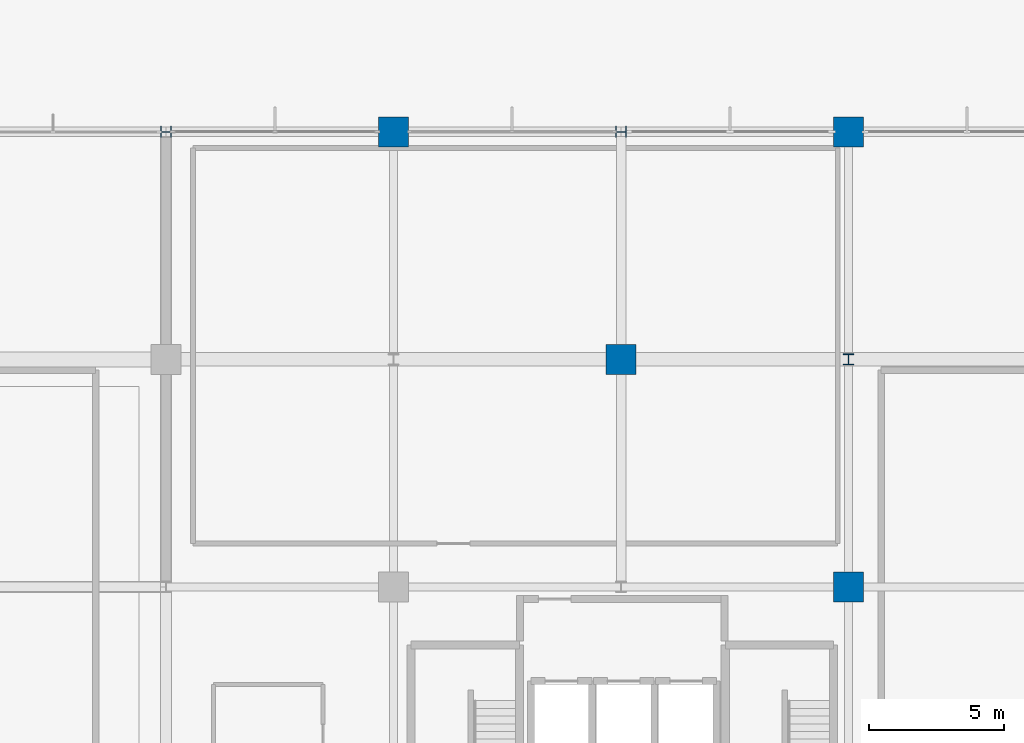
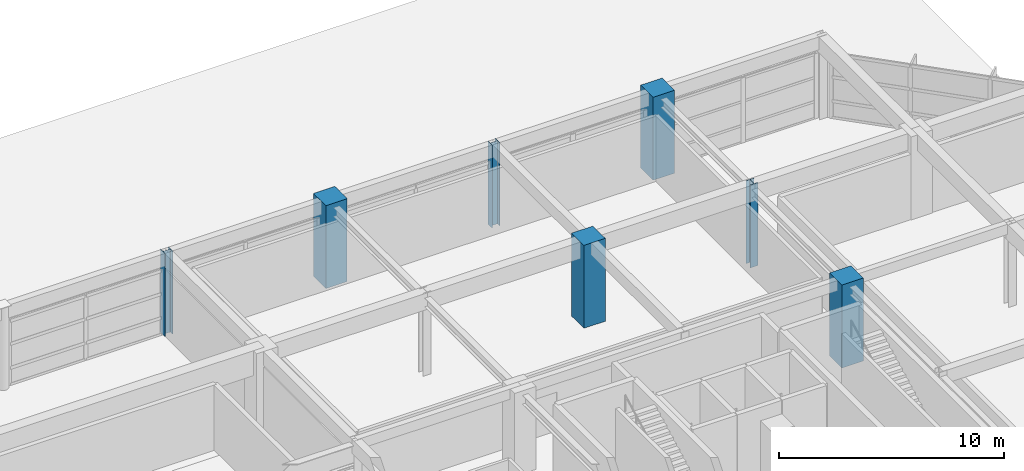
# One storey, part 5 of 47: 7 columns.
"""IFC4 building model written with IfcOpenShell, lengths in metres."""

from ifc_helpers import new_model, si_unit, direction, frame, origin, origin_2d, place, context, subcontext, project, spatial, rectangle, i_section, extrude, material, material_profile, profile_set, type_object, element, save


model = new_model("IFC4")

# Units and contexts
model_context = context("Model", 3, precision=1e-05, world=origin(), true_north=direction((0.0, 1.0)))
body_context = subcontext(model_context, "Body", "Model", "MODEL_VIEW")
ifc_project = project(units=[si_unit("LENGTHUNIT", "METRE"), si_unit("AREAUNIT", "SQUARE_METRE"), si_unit("VOLUMEUNIT", "CUBIC_METRE"), si_unit("PLANEANGLEUNIT", "RADIAN"), si_unit("MASSUNIT", "GRAM", prefix="KILO")], contexts=[model_context])

# Site, building, storey
site_placement = place(None, origin())
site = spatial("IfcSite", under=ifc_project, at=site_placement, CompositionType="ELEMENT")
building_placement = place(site_placement, origin())
building = spatial("IfcBuilding", under=site, at=building_placement, Name="Xuanlan Plaza Opera House", CompositionType="ELEMENT")
storey_placement = place(building_placement, frame((0.0, 0.0, 23.39990234375)))
storey = spatial("IfcBuildingStorey", under=building, at=storey_placement, Name="L05", CompositionType="ELEMENT", Elevation=23.39990234375)

# Columns
ifc_material_1 = material(Name="Concrete C50", Category="concrete")
ifc_material_profile_1 = material_profile(ifc_material_1, rectangle(XDim=1.10009765625, YDim=1.10009765625, at=origin_2d()), Name="RC-COL 1100x1100")
ifc_profile_set_1 = profile_set([ifc_material_profile_1], Name="Concrete C50")
column_type_1 = type_object("IfcColumnType", Name="STR-COL-C-03", PredefinedType="COLUMN", material=ifc_profile_set_1)
for number, where, z_axis, x_axis, name in (
    (1, (134.39990234375, 84.0, 0.0), (0.0, 0.0, 1.0), (1.0, 0.0, 0.0), "Column L05 17-K"),
    (2, (142.800048828125, 75.60009765625, 0.0), (0.0, 0.0, 1.0), (1.0, 0.0, 0.0), "Column L05 18-J"),
    (3, (151.199951171875, 67.199951171875, 0.0), (0.0, 0.0, 1.0), (1.0, 0.0, 0.0), "Column L05 19-I"),
    (4, (151.199951171875, 84.0, 0.0), (0.0, 0.0, 1.0), (1.0, 0.0, 0.0), "Column L05 19-K"),
):
    element("IfcColumn", number, at=place(storey_placement, frame(where, z_axis=z_axis, x_axis=x_axis)), inside=storey, type_object=column_type_1, Name=name, PredefinedType="COLUMN", context=body_context, shape_type="SweptSolid", body=[
        extrude(rectangle(XDim=1.10009765625, YDim=1.10009765625, at=origin_2d()), origin(), (0.0, 0.0, 1.0), 4.5),
    ])
ifc_material_2 = material(Name="Steel Q355B", Category="steel")
ifc_material_profile_2 = material_profile(ifc_material_2, i_section(OverallWidth=0.39990234375, OverallDepth=0.39990234375, WebThickness=0.012939453125, FlangeThickness=0.02099609375, FilletRadius=0.02197265625, at=origin_2d()), Name="HW 400x400x13x21")
ifc_profile_set_2 = profile_set([ifc_material_profile_2], Name="Steel Q355B")
column_type_2 = type_object("IfcColumnType", Name="STR-COL-C-14", PredefinedType="COLUMN", material=ifc_profile_set_2)
for number, where, z_axis, x_axis, name in (
    (5, (126.0, 84.0, 0.0), (0.0, 0.0, 1.0), (0.0, 1.0, 0.0), "Column L05 16-K"),
    (6, (142.800048828125, 84.0, 0.0), (0.0, 0.0, 1.0), (0.0, 1.0, 0.0), "Column L05 18-K"),
    (7, (151.199951171875, 75.60009765625, 0.0), (0.0, 0.0, 1.0), (1.0, 0.0, 0.0), "Column L05 19-J"),
):
    element("IfcColumn", number, at=place(storey_placement, frame(where, z_axis=z_axis, x_axis=x_axis)), inside=storey, type_object=column_type_2, Name=name, PredefinedType="COLUMN", context=body_context, shape_type="SweptSolid", body=[
        extrude(i_section(OverallWidth=0.39990234375, OverallDepth=0.39990234375, WebThickness=0.012939453125, FlangeThickness=0.02099609375, FilletRadius=0.02197265625, at=origin_2d()), origin(), (0.0, 0.0, 1.0), 4.5),
    ])

save(model, "model.ifc")
